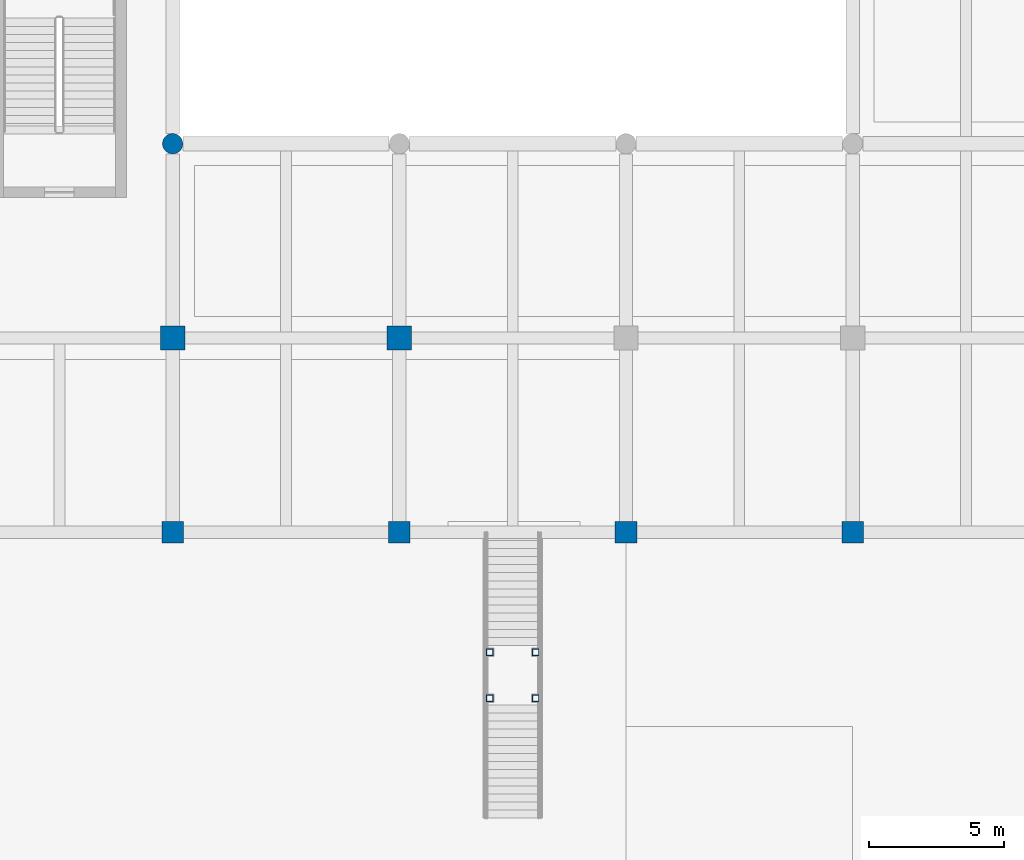
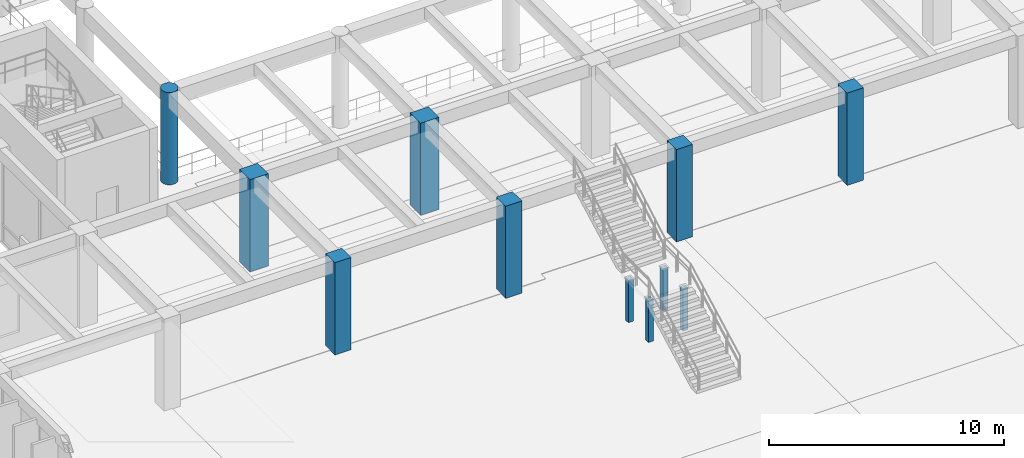
# One storey, part 2 of 51: 11 columns.
"""IFC4 building model written with IfcOpenShell, lengths in metres."""

from ifc_helpers import new_model, si_unit, direction, frame, origin, origin_2d, place, context, subcontext, project, spatial, rectangle, hollow_rectangle, circle, extrude, material, material_profile, profile_set, type_object, element, save


model = new_model("IFC4")

# Units and contexts
model_context = context("Model", 3, precision=1e-05, world=origin(), true_north=direction((0.0, 1.0)))
body_context = subcontext(model_context, "Body", "Model", "MODEL_VIEW")
ifc_project = project(units=[si_unit("LENGTHUNIT", "METRE"), si_unit("AREAUNIT", "SQUARE_METRE"), si_unit("VOLUMEUNIT", "CUBIC_METRE"), si_unit("PLANEANGLEUNIT", "RADIAN"), si_unit("MASSUNIT", "GRAM", prefix="KILO")], contexts=[model_context])

# Site, building, storey
site_placement = place(None, origin())
site = spatial("IfcSite", under=ifc_project, at=site_placement, CompositionType="ELEMENT")
building_placement = place(site_placement, origin())
building = spatial("IfcBuilding", under=site, at=building_placement, Name="Kenerak Square Central Library", CompositionType="ELEMENT")
storey_placement = place(building_placement, frame((0.0, 0.0, 9.60009765625)))
storey = spatial("IfcBuildingStorey", under=building, at=storey_placement, Name="L02", CompositionType="ELEMENT", Elevation=9.60009765625)

# Columns
ifc_material_1 = material(Name="Concrete C40/50", Category="concrete")
ifc_material_profile_1 = material_profile(ifc_material_1, circle(Radius=0.375, at=origin_2d()), Name="RC D750")
ifc_profile_set_1 = profile_set([ifc_material_profile_1], Name="Concrete C40/50")
column_type_1 = type_object("IfcColumnType", Name="Atrium Column C-13 RC D750 C40/50", PredefinedType="COLUMN", material=ifc_profile_set_1)
column_placement = place(storey_placement, frame((75.199951171875, 60.0, 0.0), z_axis=(0.0, 0.0, 1.0), x_axis=(1.0, 0.0, 0.0)))
element("IfcColumn", 1, at=column_placement, inside=storey, type_object=column_type_1, Name="Column C-13 L02 9/J", PredefinedType="COLUMN", context=body_context, shape_type="SweptSolid", body=[
    extrude(circle(Radius=0.375, at=origin_2d()), origin(), (0.0, 0.0, 1.0), 4.7998046875),
])
ifc_material_2 = material(Name="Concrete C45/55", Category="concrete")
ifc_material_profile_2 = material_profile(ifc_material_2, rectangle(XDim=0.89990234375, YDim=0.89990234375, at=origin_2d()), Name="RC 900x900")
ifc_profile_set_2 = profile_set([ifc_material_profile_2], Name="Concrete C45/55")
column_type_2 = type_object("IfcColumnType", Name="Column C-02 RC 900x900 C45/55", PredefinedType="COLUMN", material=ifc_profile_set_2)
for number, where, z_axis, x_axis, name in (
    (2, (75.199951171875, 52.800048828125, 0.0), (0.0, 0.0, 1.0), (1.0, 0.0, 0.0), "Column C-02 L02 9/H"),
    (3, (83.60009765625, 52.800048828125, 0.0), (0.0, 0.0, 1.0), (1.0, 0.0, 0.0), "Column C-02 L02 10/H"),
):
    element("IfcColumn", number, at=place(storey_placement, frame(where, z_axis=z_axis, x_axis=x_axis)), inside=storey, type_object=column_type_2, Name=name, PredefinedType="COLUMN", context=body_context, shape_type="SweptSolid", body=[
        extrude(rectangle(XDim=0.89990234375, YDim=0.89990234375, at=origin_2d()), origin(), (0.0, 0.0, 1.0), 4.7998046875),
    ])
ifc_material_profile_3 = material_profile(ifc_material_2, rectangle(XDim=0.800048828125, YDim=0.800048828125, at=origin_2d()), Name="RC 800x800")
ifc_profile_set_3 = profile_set([ifc_material_profile_3], Name="Concrete C45/55")
column_type_3 = type_object("IfcColumnType", Name="Column C-04 RC 800x800 C45/55", PredefinedType="COLUMN", material=ifc_profile_set_3)
for number, where, z_axis, x_axis, name in (
    (4, (75.199951171875, 45.60009765625, 0.0), (0.0, 0.0, 1.0), (1.0, 0.0, 0.0), "Column C-04 L02 9/G"),
    (5, (83.60009765625, 45.60009765625, 0.0), (0.0, 0.0, 1.0), (1.0, 0.0, 0.0), "Column C-04 L02 10/G"),
    (6, (92.0, 45.60009765625, 0.0), (0.0, 0.0, 1.0), (1.0, 0.0, 0.0), "Column C-04 L02 11/G"),
    (7, (100.39990234375, 45.60009765625, 0.0), (0.0, 0.0, 1.0), (1.0, 0.0, 0.0), "Column C-04 L02 12/G"),
):
    element("IfcColumn", number, at=place(storey_placement, frame(where, z_axis=z_axis, x_axis=x_axis)), inside=storey, type_object=column_type_3, Name=name, PredefinedType="COLUMN", context=body_context, shape_type="SweptSolid", body=[
        extrude(rectangle(XDim=0.800048828125, YDim=0.800048828125, at=origin_2d()), origin(), (0.0, 0.0, 1.0), 4.7998046875),
    ])
ifc_material_3 = material(Name="Steel S355", Category="steel")
ifc_material_profile_4 = material_profile(ifc_material_3, hollow_rectangle(XDim=0.25, YDim=0.25, WallThickness=0.010009765625, at=origin_2d()), Name="SHS 250x250x10.0")
ifc_profile_set_4 = profile_set([ifc_material_profile_4], Name="Steel S355")
column_type_4 = type_object("IfcColumnType", Name="Lantern Post C-14 SHS 250x250x10 S355", PredefinedType="COLUMN", material=ifc_profile_set_4)
for number, where, z_axis, x_axis, name in (
    (8, (86.949951171875, 39.449951171875, 0.0), (0.0, 0.0, 1.0), (1.0, 0.0, 0.0), "Feature Stair Support Post ST-F2"),
    (9, (88.64990234375, 39.449951171875, 0.0), (0.0, 0.0, 1.0), (1.0, 0.0, 0.0), "Feature Stair Support Post ST-F2"),
    (10, (86.949951171875, 41.14990234375, 0.0), (0.0, 0.0, 1.0), (1.0, 0.0, 0.0), "Feature Stair Support Post ST-F2"),
    (11, (88.64990234375, 41.14990234375, 0.0), (0.0, 0.0, 1.0), (1.0, 0.0, 0.0), "Feature Stair Support Post ST-F2"),
):
    element("IfcColumn", number, at=place(storey_placement, frame(where, z_axis=z_axis, x_axis=x_axis)), inside=storey, type_object=column_type_4, Name=name, PredefinedType="COLUMN", context=body_context, shape_type="SweptSolid", body=[
        extrude(hollow_rectangle(XDim=0.25, YDim=0.25, WallThickness=0.010009765625, at=origin_2d()), origin(), (0.0, 0.0, 1.0), 2.199951171875),
    ])

save(model, "model.ifc")
